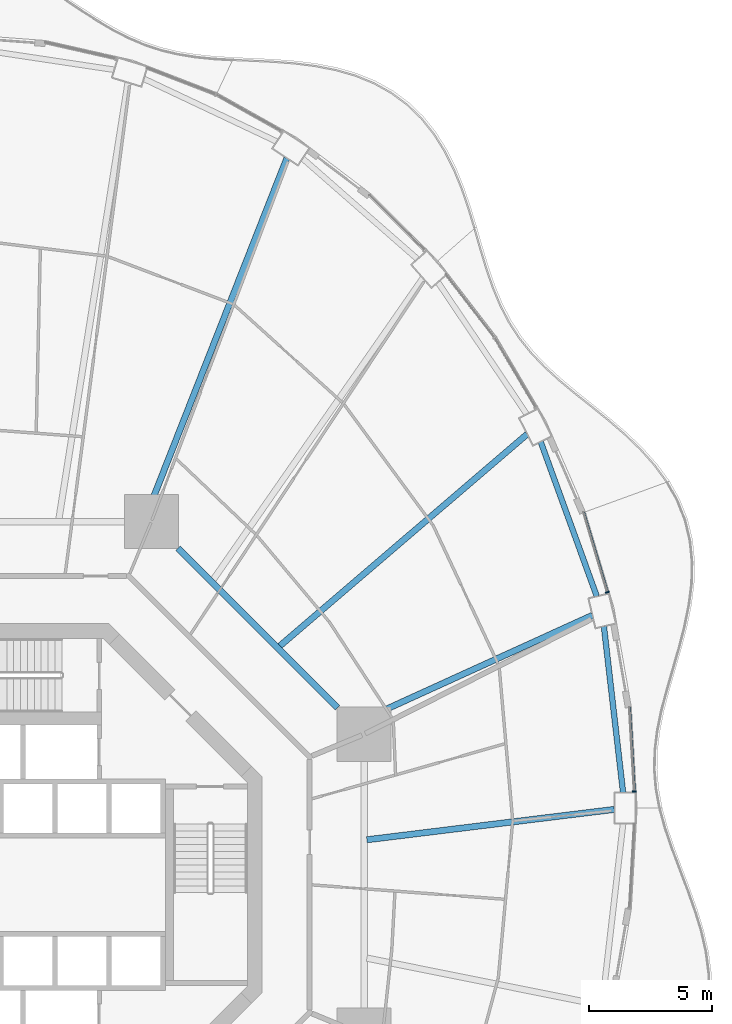
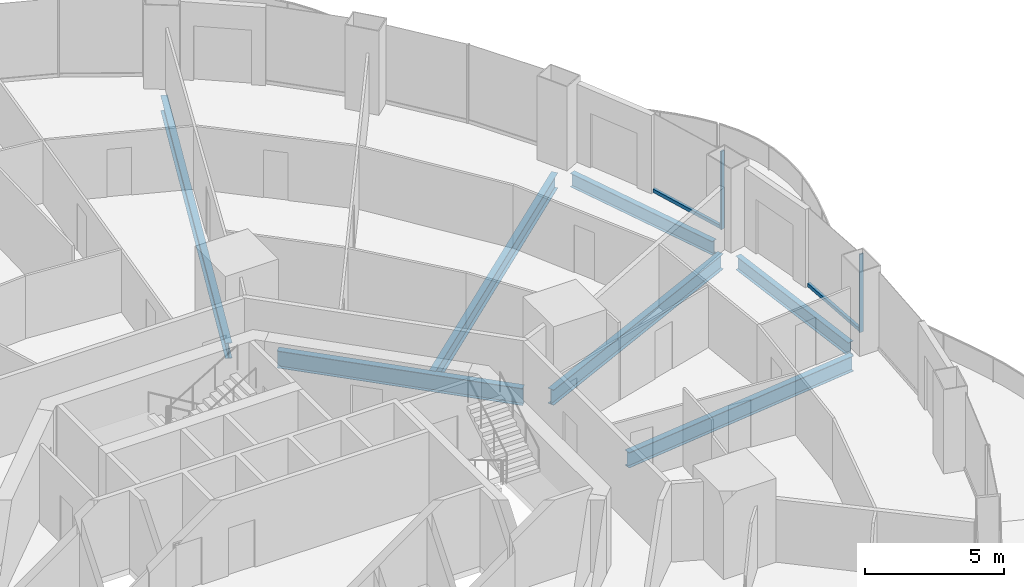
# One storey, part 10 of 22: 7 beams, 4 members, 2 elements without a shape of their own.
"""IFC4 building model written with IfcOpenShell, lengths in metres."""

from ifc_helpers import new_model, si_unit, direction, frame, origin, origin_2d, place, context, subcontext, project, spatial, rectangle, i_section, extrude, material, layer, layer_set, material_profile, profile_set, type_object, element, aggregate, save


model = new_model("IFC4")

# Units and contexts
model_context = context("Model", 3, precision=1e-05, world=origin(), true_north=direction((0.0, 1.0)))
body_context = subcontext(model_context, "Body", "Model", "MODEL_VIEW")
ifc_project = project(units=[si_unit("LENGTHUNIT", "METRE"), si_unit("AREAUNIT", "SQUARE_METRE"), si_unit("VOLUMEUNIT", "CUBIC_METRE"), si_unit("PLANEANGLEUNIT", "RADIAN"), si_unit("MASSUNIT", "GRAM", prefix="KILO")], contexts=[model_context])

# Site, building, storey
site_placement = place(None, origin())
site = spatial("IfcSite", under=ifc_project, at=site_placement, CompositionType="ELEMENT")
building_placement = place(site_placement, origin())
building = spatial("IfcBuilding", under=site, at=building_placement, Name="Nagisa Residences", CompositionType="ELEMENT")
storey_placement = place(building_placement, frame((0.0, 0.0, 80.699951171875)))
storey = spatial("IfcBuildingStorey", under=building, at=storey_placement, Name="L19", CompositionType="ELEMENT", Elevation=80.699951171875)

# Curtain wall, member
ifc_material_1 = material(Name="Concrete-coloured aluminium curtain wall system", Category="concrete")
ifc_layer = layer(ifc_material_1, 0.159912109375)
ifc_layer_set = layer_set([ifc_layer], Name="CW1 CURTAIN WALL")
curtain_wall_type = type_object("IfcCurtainWallType", Name="CW1 CURTAIN WALL", PredefinedType="NOTDEFINED", material=ifc_layer_set)
curtain_wall_1_placement = place(storey_placement, origin())
curtain_wall_1 = element("IfcCurtainWall", 1, at=curtain_wall_1_placement, inside=storey, type_object=curtain_wall_type, Name="cw:CW1:L19:00", PredefinedType="NOTDEFINED")
ifc_material_2 = material(Name="Concrete-coloured aluminium", Category="concrete")
ifc_material_profile_1 = material_profile(ifc_material_2, rectangle(XDim=0.159912109375, YDim=0.06005859375, at=origin_2d()), Name="CW1 MULLION 160x60")
ifc_profile_set_1 = profile_set([ifc_material_profile_1], Name="Concrete-coloured aluminium")
member_type_1 = type_object("IfcMemberType", Name="CW1 MULLION 160x60", PredefinedType="MULLION", material=ifc_profile_set_1)
member_1_placement = place(storey_placement, frame((25.776123046875, 3.7919921875, 0.0), z_axis=(0.0, 0.0, 1.0), x_axis=(-0.998345305184, -0.057503492216, 0.0)))
member_1 = element("IfcMember", 2, at=member_1_placement, type_object=member_type_1, Name="CW1 mullion", PredefinedType="MULLION", context=body_context, shape_type="SweptSolid", body=[
    extrude(rectangle(XDim=0.159912109375, YDim=0.06005859375, at=origin_2d()), origin(), (0.0, 0.0, 1.0), 3.43994140625),
])

curtain_wall_2_placement = place(storey_placement, origin())
curtain_wall_2 = element("IfcCurtainWall", 3, at=curtain_wall_2_placement, inside=storey, type_object=curtain_wall_type, Name="cw:CW1:L19:02", PredefinedType="NOTDEFINED")
member_2_placement = place(storey_placement, frame((24.68017578125, 11.903076171875, 0.0), z_axis=(0.0, 0.0, 1.0), x_axis=(-0.958271310082, -0.285860274038, 0.0)))
member_2 = element("IfcMember", 4, at=member_2_placement, type_object=member_type_1, Name="CW1 mullion", PredefinedType="MULLION", context=body_context, shape_type="SweptSolid", body=[
    extrude(rectangle(XDim=0.159912109375, YDim=0.06005859375, at=origin_2d()), origin(), (0.0, 0.0, 1.0), 3.43994140625),
])

# Member
ifc_material_3 = material(Name="Concrete-coloured aluminium", Category="concrete")
ifc_material_profile_2 = material_profile(ifc_material_3, rectangle(XDim=0.1201171875, YDim=0.14990234375, at=origin_2d()), Name="CW1 TRANSOM 120x150")
ifc_profile_set_2 = profile_set([ifc_material_profile_2], Name="Concrete-coloured aluminium")
member_type_2 = type_object("IfcMemberType", Name="CW1 TRANSOM 120x150", PredefinedType="USERDEFINED", material=ifc_profile_set_2)
member_3_placement = place(storey_placement, frame((25.77783203125, 3.761962890625, 0.074951171875), z_axis=(-0.057546644052, 0.998342818754, 0.0), x_axis=(-0.998342818754, -0.057546644052, 0.0)))
member_3 = element("IfcMember", 5, at=member_3_placement, type_object=member_type_2, Name="CW1 transom", ObjectType="TRANSOM", PredefinedType="USERDEFINED", context=body_context, shape_type="SweptSolid", body=[
    extrude(rectangle(XDim=0.1201171875, YDim=0.14990234375, at=origin_2d()), origin(), (0.0, 0.0, 1.0), 3.470458984375),
])

aggregate(curtain_wall_1, [member_1, member_3])

member_4_placement = place(storey_placement, frame((24.68896484375, 11.874267578125, 0.074951171875), z_axis=(-0.285882094477, 0.958264800594, 0.0), x_axis=(-0.958264800594, -0.285882094477, 0.0)))
member_4 = element("IfcMember", 6, at=member_4_placement, type_object=member_type_2, Name="CW1 transom", ObjectType="TRANSOM", PredefinedType="USERDEFINED", context=body_context, shape_type="SweptSolid", body=[
    extrude(rectangle(XDim=0.1201171875, YDim=0.14990234375, at=origin_2d()), origin(), (0.0, 0.0, 1.0), 3.423583984375),
])

aggregate(curtain_wall_2, [member_2, member_4])

# Beams
ifc_material_4 = material(Name="Steel ASTM A572 Gr 50", Category="steel")
ifc_material_profile_3 = material_profile(ifc_material_4, i_section(OverallWidth=0.264892578125, OverallDepth=0.7529296875, WebThickness=0.01318359375, FlangeThickness=0.01708984375, at=origin_2d()), Name="W760x147")
ifc_profile_set_3 = profile_set([ifc_material_profile_3], Name="Steel ASTM A572 Gr 50")
beam_type_1 = type_object("IfcBeamType", Name="Inner ring beam W760x147", PredefinedType="BEAM", material=ifc_profile_set_3)
beam_1_placement = place(storey_placement, frame((13.6962890625, 7.208740234375, -0.636474609375), z_axis=(-0.707106781187, 0.707106781187, 0.0), x_axis=(-0.707106781187, -0.707106781187, 0.0)))
element("IfcBeam", 7, at=beam_1_placement, inside=storey, type_object=beam_type_1, Name="beam:L19:ib1", PredefinedType="BEAM", context=body_context, shape_type="SweptSolid", body=[
    extrude(i_section(OverallWidth=0.264892578125, OverallDepth=0.7529296875, WebThickness=0.01318359375, FlangeThickness=0.01708984375, at=origin_2d()), origin(), (0.0, 0.0, 1.0), 9.1748046875),
])
ifc_material_5 = material(Name="Steel ASTM A572 Gr 50", Category="steel")
ifc_material_profile_4 = material_profile(ifc_material_5, i_section(OverallWidth=0.22802734375, OverallDepth=0.60302734375, WebThickness=0.010498046875, FlangeThickness=0.014892578125, at=origin_2d()), Name="W610x101")
ifc_profile_set_4 = profile_set([ifc_material_profile_4], Name="Steel ASTM A572 Gr 50")
beam_type_2 = type_object("IfcBeamType", Name="Perimeter ring beam W610x101", PredefinedType="BEAM", material=ifc_profile_set_4)
beam_2_placement = place(storey_placement, frame((25.322265625, 3.747802734375, -0.5615234375), z_axis=(-0.114690766503, 0.993401242237, 0.0), x_axis=(-0.993401242237, -0.114690766503, 0.0)))
element("IfcBeam", 8, at=beam_2_placement, inside=storey, type_object=beam_type_2, Name="beam:L19:pb01", PredefinedType="BEAM", context=body_context, shape_type="SweptSolid", body=[
    extrude(i_section(OverallWidth=0.22802734375, OverallDepth=0.60302734375, WebThickness=0.010498046875, FlangeThickness=0.014892578125, at=origin_2d()), origin(), (0.0, 0.0, 1.0), 6.811767578125),
])
beam_3_placement = place(storey_placement, frame((24.251708984375, 11.7412109375, -0.5615234375), z_axis=(-0.341365002286, 0.939930814057, 0.0), x_axis=(-0.939930814057, -0.341365002286, 0.0)))
element("IfcBeam", 9, at=beam_3_placement, inside=storey, type_object=beam_type_2, Name="beam:L19:pb02", PredefinedType="BEAM", context=body_context, shape_type="SweptSolid", body=[
    extrude(i_section(OverallWidth=0.22802734375, OverallDepth=0.60302734375, WebThickness=0.010498046875, FlangeThickness=0.014892578125, at=origin_2d()), origin(), (0.0, 0.0, 1.0), 6.689208984375),
])
ifc_material_6 = material(Name="Steel ASTM A572 Gr 50", Category="steel")
ifc_material_profile_5 = material_profile(ifc_material_6, i_section(OverallWidth=0.2529296875, OverallDepth=0.677978515625, WebThickness=0.01171875, FlangeThickness=0.016357421875, at=origin_2d()), Name="W690x125")
ifc_profile_set_5 = profile_set([ifc_material_profile_5], Name="Steel ASTM A572 Gr 50")
beam_type_3 = type_object("IfcBeamType", Name="Radial beam W690x125", PredefinedType="BEAM", material=ifc_profile_set_5)
beam_4_placement = place(storey_placement, frame((24.96484375, 3.06494140625, -0.598876953125), z_axis=(-0.992547591761, -0.121857614, 0.0), x_axis=(0.121857614, -0.992547591761, 0.0)))
element("IfcBeam", 10, at=beam_4_placement, inside=storey, type_object=beam_type_3, Name="beam:L19:rb01", PredefinedType="BEAM", context=body_context, shape_type="SweptSolid", body=[
    extrude(i_section(OverallWidth=0.2529296875, OverallDepth=0.677978515625, WebThickness=0.01171875, FlangeThickness=0.016357421875, at=origin_2d()), origin(), (0.0, 0.0, 1.0), 10.145751953125),
])
beam_5_placement = place(storey_placement, frame((24.069091796875, 10.963134765625, -0.598876953125), z_axis=(-0.91004744246, -0.414504104288, 0.0), x_axis=(0.414504104288, -0.91004744246, 0.0)))
element("IfcBeam", 11, at=beam_5_placement, inside=storey, type_object=beam_type_3, Name="beam:L19:rb02", PredefinedType="BEAM", context=body_context, shape_type="SweptSolid", body=[
    extrude(i_section(OverallWidth=0.2529296875, OverallDepth=0.677978515625, WebThickness=0.01171875, FlangeThickness=0.016357421875, at=origin_2d()), origin(), (0.0, 0.0, 1.0), 10.544189453125),
])
beam_6_placement = place(storey_placement, frame((21.4150390625, 18.3369140625, -0.598876953125), z_axis=(-0.759585472841, -0.650407494921, 0.0), x_axis=(0.650407494921, -0.759585472841, 0.0)))
element("IfcBeam", 12, at=beam_6_placement, inside=storey, type_object=beam_type_3, Name="beam:L19:rb03", PredefinedType="BEAM", context=body_context, shape_type="SweptSolid", body=[
    extrude(i_section(OverallWidth=0.2529296875, OverallDepth=0.677978515625, WebThickness=0.01171875, FlangeThickness=0.016357421875, at=origin_2d()), origin(), (0.0, 0.0, 1.0), 13.25390625),
])
beam_7_placement = place(storey_placement, frame((11.636474609375, 29.568359375, -0.598876953125), z_axis=(-0.366203217464, -0.930534901828, 0.0), x_axis=(0.930534901828, -0.366203217464, 0.0)))
element("IfcBeam", 13, at=beam_7_placement, inside=storey, type_object=beam_type_3, Name="beam:L19:rb05", PredefinedType="BEAM", context=body_context, shape_type="SweptSolid", body=[
    extrude(i_section(OverallWidth=0.2529296875, OverallDepth=0.677978515625, WebThickness=0.01171875, FlangeThickness=0.016357421875, at=origin_2d()), origin(), (0.0, 0.0, 1.0), 15.767578125),
])

save(model, "model.ifc")
